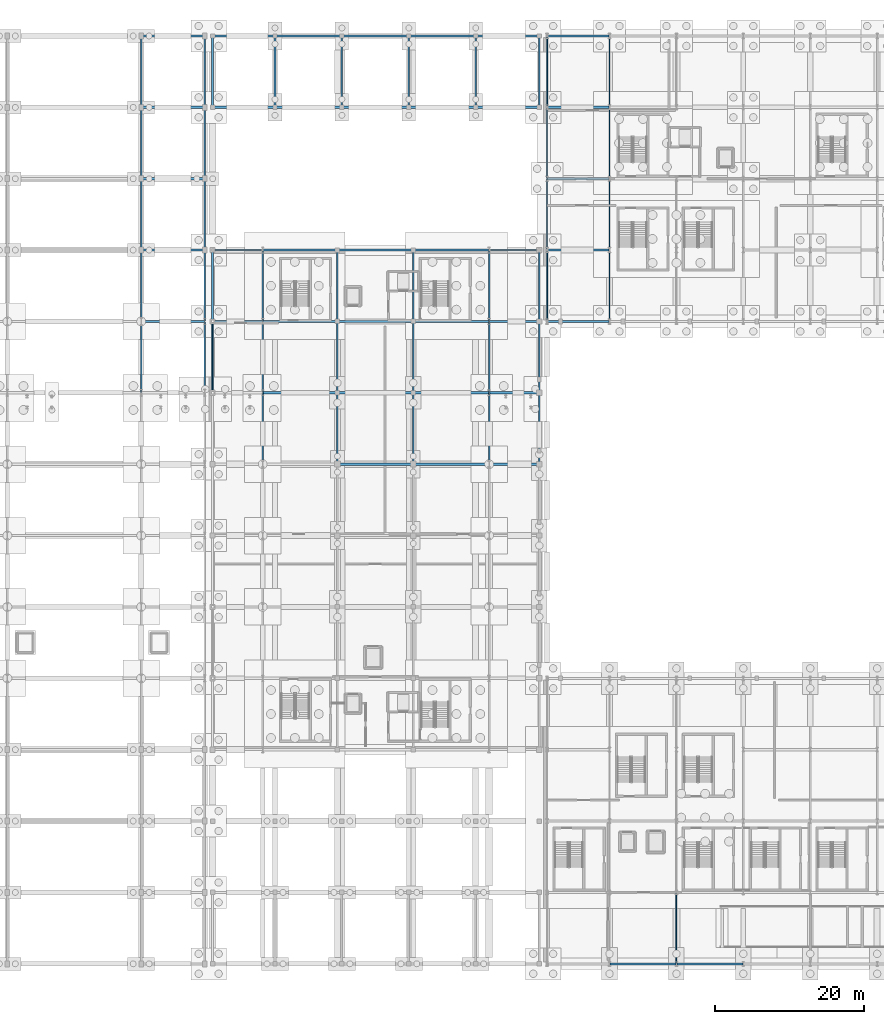
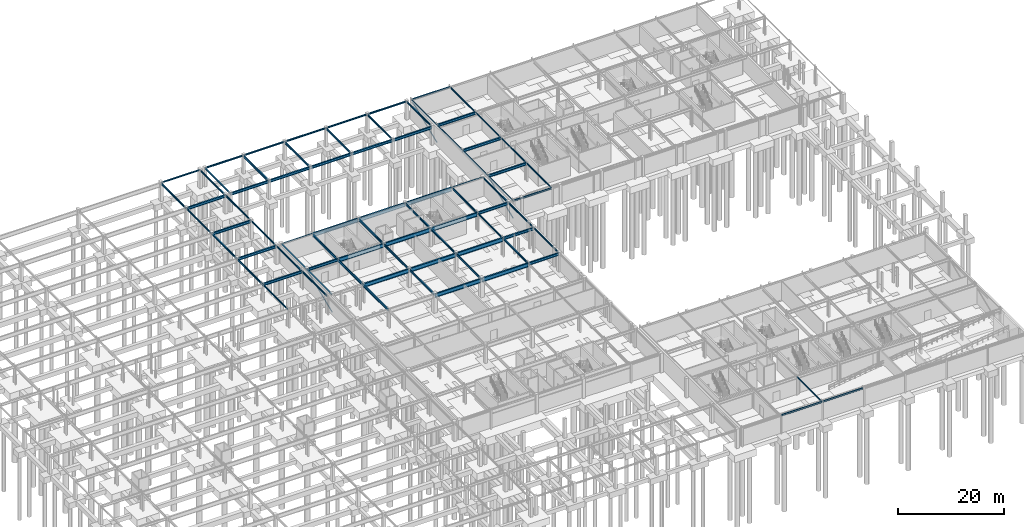
# One storey, part 32 of 59: 81 beams, 3 members.
"""IFC4 building model written with IfcOpenShell, lengths in metres."""

from ifc_helpers import new_model, si_unit, direction, frame, origin, origin_2d, place, context, subcontext, project, spatial, hollow_rectangle, hollow_circle, i_section, extrude, material, material_profile, profile_set, type_object, element, save


model = new_model("IFC4")

# Units and contexts
model_context = context("Model", 3, precision=1e-05, world=origin(), true_north=direction((0.0, 1.0)))
body_context = subcontext(model_context, "Body", "Model", "MODEL_VIEW")
ifc_project = project(units=[si_unit("LENGTHUNIT", "METRE"), si_unit("AREAUNIT", "SQUARE_METRE"), si_unit("VOLUMEUNIT", "CUBIC_METRE"), si_unit("PLANEANGLEUNIT", "RADIAN"), si_unit("MASSUNIT", "GRAM", prefix="KILO")], contexts=[model_context])

# Site, building, storey
site_placement = place(None, origin())
site = spatial("IfcSite", under=ifc_project, at=site_placement, CompositionType="ELEMENT")
building_placement = place(site_placement, origin())
building = spatial("IfcBuilding", under=site, at=building_placement, Name="Myrtia Square Station", CompositionType="ELEMENT")
storey_placement = place(building_placement, frame((0.0, 0.0, -4.5)))
storey = spatial("IfcBuildingStorey", under=building, at=storey_placement, Name="B01", CompositionType="ELEMENT", Elevation=-4.5)

# Beams
ifc_material = material(Name="Steel S355", Category="steel")
ifc_material_profile_1 = material_profile(ifc_material, i_section(OverallWidth=0.300048828125, OverallDepth=0.60009765625, WebThickness=0.015380859375, FlangeThickness=0.030029296875, FilletRadius=0.027099609375, at=origin_2d()), Name="HEB 600")
ifc_profile_set_1 = profile_set([ifc_material_profile_1], Name="Steel S355")
beam_type_1 = type_object("IfcBeamType", Name="BM-HEB600", PredefinedType="BEAM", material=ifc_profile_set_1)
for number, where, z_axis, x_axis, name in (
    (1, (63.050048828125, 86.39990234375, 3.89990234375), (1.0, 0.0, 0.0), (0.0, 1.0, 0.0), "Structural girder BMX-B01-0018"),
    (2, (63.050048828125, 96.0, 3.89990234375), (1.0, 0.0, 0.0), (0.0, 1.0, 0.0), "Structural girder BMX-B01-0020"),
    (3, (63.050048828125, 105.60009765625, 3.89990234375), (1.0, 0.0, 0.0), (0.0, 1.0, 0.0), "Structural girder BMX-B01-0022"),
    (4, (63.050048828125, 115.199951171875, 3.89990234375), (1.0, 0.0, 0.0), (0.0, 1.0, 0.0), "Structural girder BMX-B01-0024"),
):
    element("IfcBeam", number, at=place(storey_placement, frame(where, z_axis=z_axis, x_axis=x_axis)), inside=storey, type_object=beam_type_1, Name=name, PredefinedType="BEAM", context=body_context, shape_type="SweptSolid", body=[
        extrude(i_section(OverallWidth=0.300048828125, OverallDepth=0.60009765625, WebThickness=0.015380859375, FlangeThickness=0.030029296875, FilletRadius=0.027099609375, at=origin_2d()), origin(), (0.0, 0.0, 1.0), 8.449951171875),
    ])
for number, where, z_axis, x_axis, name in (
    (5, (109.85009765625, 67.199951171875, 3.919921875), (1.0, 0.0, 0.0), (0.0, 1.0, 0.0), "Structural girder BMX-B01-0095"),
    (6, (109.85009765625, 76.800048828125, 3.919921875), (1.0, 0.0, 0.0), (0.0, 1.0, 0.0), "Structural girder BMX-B01-0097"),
):
    element("IfcBeam", number, at=place(storey_placement, frame(where, z_axis=z_axis, x_axis=x_axis)), inside=storey, type_object=beam_type_1, Name=name, PredefinedType="BEAM", context=body_context, shape_type="SweptSolid", body=[
        extrude(i_section(OverallWidth=0.300048828125, OverallDepth=0.60009765625, WebThickness=0.015380859375, FlangeThickness=0.030029296875, FilletRadius=0.027099609375, at=origin_2d()), origin(), (0.0, 0.0, 1.0), 6.64990234375),
    ])
beam_1_placement = place(storey_placement, frame((72.64990234375, 86.39990234375, 3.919921875), z_axis=(1.0, 0.0, 0.0), x_axis=(0.0, 1.0, 0.0)))
element("IfcBeam", 7, at=beam_1_placement, inside=storey, type_object=beam_type_1, Name="Structural girder BMX-B01-0098", PredefinedType="BEAM", context=body_context, shape_type="SweptSolid", body=[
    extrude(i_section(OverallWidth=0.300048828125, OverallDepth=0.60009765625, WebThickness=0.015380859375, FlangeThickness=0.030029296875, FilletRadius=0.027099609375, at=origin_2d()), origin(), (0.0, 0.0, 1.0), 6.650146484375),
])
beam_2_placement = place(storey_placement, frame((109.85009765625, 86.39990234375, 3.919921875), z_axis=(1.0, 0.0, 0.0), x_axis=(0.0, 1.0, 0.0)))
element("IfcBeam", 8, at=beam_2_placement, inside=storey, type_object=beam_type_1, Name="Structural girder BMX-B01-0099", PredefinedType="BEAM", context=body_context, shape_type="SweptSolid", body=[
    extrude(i_section(OverallWidth=0.300048828125, OverallDepth=0.60009765625, WebThickness=0.015380859375, FlangeThickness=0.030029296875, FilletRadius=0.027099609375, at=origin_2d()), origin(), (0.0, 0.0, 1.0), 6.64990234375),
])
for number, where, z_axis, x_axis, name in (
    (9, (117.64990234375, 96.0, 3.929931640625), (1.0, 0.0, 0.0), (0.0, 1.0, 0.0), "Structural girder BMX-B01-0190"),
    (10, (117.64990234375, 105.60009765625, 3.929931640625), (1.0, 0.0, 0.0), (0.0, 1.0, 0.0), "Structural girder BMX-B01-0194"),
    (11, (72.64990234375, 115.199951171875, 3.93994140625), (1.0, 0.0, 0.0), (0.0, 1.0, 0.0), "Structural girder BMX-B01-0202"),
):
    element("IfcBeam", number, at=place(storey_placement, frame(where, z_axis=z_axis, x_axis=x_axis)), inside=storey, type_object=beam_type_1, Name=name, PredefinedType="BEAM", context=body_context, shape_type="SweptSolid", body=[
        extrude(i_section(OverallWidth=0.300048828125, OverallDepth=0.60009765625, WebThickness=0.015380859375, FlangeThickness=0.030029296875, FilletRadius=0.027099609375, at=origin_2d()), origin(), (0.0, 0.0, 1.0), 8.300048828125),
    ])
for number, where, z_axis, x_axis, name in (
    (12, (81.050048828125, 115.199951171875, 3.93994140625), (1.0, 0.0, 0.0), (0.0, 1.0, 0.0), "Structural girder BMX-B01-0203"),
    (13, (90.050048828125, 115.199951171875, 3.93994140625), (1.0, 0.0, 0.0), (0.0, 1.0, 0.0), "Structural girder BMX-B01-0204"),
    (14, (99.050048828125, 115.199951171875, 3.93994140625), (1.0, 0.0, 0.0), (0.0, 1.0, 0.0), "Structural girder BMX-B01-0205"),
):
    element("IfcBeam", number, at=place(storey_placement, frame(where, z_axis=z_axis, x_axis=x_axis)), inside=storey, type_object=beam_type_1, Name=name, PredefinedType="BEAM", context=body_context, shape_type="SweptSolid", body=[
        extrude(i_section(OverallWidth=0.300048828125, OverallDepth=0.60009765625, WebThickness=0.015380859375, FlangeThickness=0.030029296875, FilletRadius=0.027099609375, at=origin_2d()), origin(), (0.0, 0.0, 1.0), 8.89990234375),
    ])
beam_3_placement = place(storey_placement, frame((108.050048828125, 115.199951171875, 3.93994140625), z_axis=(1.0, 0.0, 0.0), x_axis=(0.0, 1.0, 0.0)))
element("IfcBeam", 15, at=beam_3_placement, inside=storey, type_object=beam_type_1, Name="Structural girder BMX-B01-0206", PredefinedType="BEAM", context=body_context, shape_type="SweptSolid", body=[
    extrude(i_section(OverallWidth=0.300048828125, OverallDepth=0.60009765625, WebThickness=0.015380859375, FlangeThickness=0.030029296875, FilletRadius=0.027099609375, at=origin_2d()), origin(), (0.0, 0.0, 1.0), 8.449951171875),
])
beam_4_placement = place(storey_placement, frame((117.64990234375, 115.199951171875, 3.929931640625), z_axis=(1.0, 0.0, 0.0), x_axis=(0.0, 1.0, 0.0)))
element("IfcBeam", 16, at=beam_4_placement, inside=storey, type_object=beam_type_1, Name="Structural girder BMX-B01-0207", PredefinedType="BEAM", context=body_context, shape_type="SweptSolid", body=[
    extrude(i_section(OverallWidth=0.300048828125, OverallDepth=0.60009765625, WebThickness=0.015380859375, FlangeThickness=0.030029296875, FilletRadius=0.027099609375, at=origin_2d()), origin(), (0.0, 0.0, 1.0), 8.300048828125),
])
ifc_material_profile_2 = material_profile(ifc_material, i_section(OverallWidth=0.135009765625, OverallDepth=0.27001953125, WebThickness=0.006591796875, FlangeThickness=0.01025390625, FilletRadius=0.014892578125, at=origin_2d()), Name="IPE 270")
ifc_profile_set_2 = profile_set([ifc_material_profile_2], Name="Steel S355")
beam_type_2 = type_object("IfcBeamType", Name="BM-IPE270", PredefinedType="BEAM", material=ifc_profile_set_2)
beam_5_placement = place(storey_placement, frame((135.0, 0.050048828125, 4.094970703125), z_axis=(0.0, 1.0, 0.0), x_axis=(-1.0, 0.0, 0.0)))
element("IfcBeam", 17, at=beam_5_placement, inside=storey, type_object=beam_type_2, Name="Structural girder BMY-B01-0171", PredefinedType="BEAM", context=body_context, shape_type="SweptSolid", body=[
    extrude(i_section(OverallWidth=0.135009765625, OverallDepth=0.27001953125, WebThickness=0.006591796875, FlangeThickness=0.01025390625, FilletRadius=0.014892578125, at=origin_2d()), origin(), (0.0, 0.0, 1.0), 9.5),
])
ifc_material_profile_3 = material_profile(ifc_material, i_section(OverallWidth=0.14990234375, OverallDepth=0.300048828125, WebThickness=0.007080078125, FlangeThickness=0.0107421875, FilletRadius=0.014892578125, at=origin_2d()), Name="IPE 300")
ifc_profile_set_3 = profile_set([ifc_material_profile_3], Name="Steel S355")
beam_type_3 = type_object("IfcBeamType", Name="BM-IPE300", PredefinedType="BEAM", material=ifc_profile_set_3)
for number, where, z_axis, x_axis, name in (
    (18, (126.0, 86.449951171875, 4.080078125), (0.0, 1.0, 0.0), (-1.0, 0.0, 0.0), "Structural girder BMY-B01-0224"),
    (19, (126.0, 96.050048828125, 4.080078125), (0.0, 1.0, 0.0), (-1.0, 0.0, 0.0), "Structural girder BMY-B01-0225"),
    (20, (126.0, 105.64990234375, 4.080078125), (0.0, 1.0, 0.0), (-1.0, 0.0, 0.0), "Structural girder BMY-B01-0226"),
    (21, (126.0, 115.25, 4.080078125), (0.0, 1.0, 0.0), (-1.0, 0.0, 0.0), "Structural girder BMY-B01-0227"),
):
    element("IfcBeam", number, at=place(storey_placement, frame(where, z_axis=z_axis, x_axis=x_axis)), inside=storey, type_object=beam_type_3, Name=name, PredefinedType="BEAM", context=body_context, shape_type="SweptSolid", body=[
        extrude(i_section(OverallWidth=0.14990234375, OverallDepth=0.300048828125, WebThickness=0.007080078125, FlangeThickness=0.0107421875, FilletRadius=0.014892578125, at=origin_2d()), origin(), (0.0, 0.0, 1.0), 9.5),
    ])
ifc_material_profile_4 = material_profile(ifc_material, i_section(OverallWidth=0.159912109375, OverallDepth=0.330078125, WebThickness=0.007568359375, FlangeThickness=0.011474609375, FilletRadius=0.01806640625, at=origin_2d()), Name="IPE 330")
ifc_profile_set_4 = profile_set([ifc_material_profile_4], Name="Steel S355")
beam_type_4 = type_object("IfcBeamType", Name="BM-IPE330", PredefinedType="BEAM", material=ifc_profile_set_4)
for number, where, z_axis, x_axis, name in (
    (22, (117.60009765625, 86.449951171875, 4.06494140625), (0.0, 1.0, 0.0), (-1.0, 0.0, 0.0), "Structural girder BMY-B01-0220"),
    (23, (117.60009765625, 96.050048828125, 4.06494140625), (0.0, 1.0, 0.0), (-1.0, 0.0, 0.0), "Structural girder BMY-B01-0221"),
    (24, (117.60009765625, 105.64990234375, 4.06494140625), (0.0, 1.0, 0.0), (-1.0, 0.0, 0.0), "Structural girder BMY-B01-0222"),
    (25, (117.60009765625, 115.25, 4.06494140625), (0.0, 1.0, 0.0), (-1.0, 0.0, 0.0), "Structural girder BMY-B01-0223"),
):
    element("IfcBeam", number, at=place(storey_placement, frame(where, z_axis=z_axis, x_axis=x_axis)), inside=storey, type_object=beam_type_4, Name=name, PredefinedType="BEAM", context=body_context, shape_type="SweptSolid", body=[
        extrude(i_section(OverallWidth=0.159912109375, OverallDepth=0.330078125, WebThickness=0.007568359375, FlangeThickness=0.011474609375, FilletRadius=0.01806640625, at=origin_2d()), origin(), (0.0, 0.0, 1.0), 9.5),
    ])
ifc_material_profile_5 = material_profile(ifc_material, i_section(OverallWidth=0.169921875, OverallDepth=0.360107421875, WebThickness=0.008056640625, FlangeThickness=0.0126953125, FilletRadius=0.01806640625, at=origin_2d()), Name="IPE 360")
ifc_profile_set_5 = profile_set([ifc_material_profile_5], Name="Steel S355")
beam_type_5 = type_object("IfcBeamType", Name="BM-IPE360", PredefinedType="BEAM", material=ifc_profile_set_5)
for number, where, z_axis, x_axis, name in (
    (26, (71.550048828125, 76.85009765625, 4.02001953125), (0.0, 1.0, 0.0), (-1.0, 0.0, 0.0), "Structural girder BMY-B01-0083"),
    (27, (71.550048828125, 86.449951171875, 4.02001953125), (0.0, 1.0, 0.0), (-1.0, 0.0, 0.0), "Structural girder BMY-B01-0084"),
    (28, (71.550048828125, 96.050048828125, 4.02001953125), (0.0, 1.0, 0.0), (-1.0, 0.0, 0.0), "Structural girder BMY-B01-0085"),
    (29, (71.550048828125, 105.64990234375, 4.02001953125), (0.0, 1.0, 0.0), (-1.0, 0.0, 0.0), "Structural girder BMY-B01-0086"),
    (30, (71.550048828125, 115.25, 4.02001953125), (0.0, 1.0, 0.0), (-1.0, 0.0, 0.0), "Structural girder BMY-B01-0087"),
    (31, (116.550048828125, 67.25, 4.0400390625), (0.0, 1.0, 0.0), (-1.0, 0.0, 0.0), "Structural girder BMY-B01-0132"),
    (32, (116.550048828125, 76.85009765625, 4.0400390625), (0.0, 1.0, 0.0), (-1.0, 0.0, 0.0), "Structural girder BMY-B01-0133"),
    (33, (116.550048828125, 86.449951171875, 4.0400390625), (0.0, 1.0, 0.0), (-1.0, 0.0, 0.0), "Structural girder BMY-B01-0134"),
    (34, (116.550048828125, 115.25, 4.06005859375), (0.0, 1.0, 0.0), (-1.0, 0.0, 0.0), "Structural girder BMY-B01-0219"),
):
    element("IfcBeam", number, at=place(storey_placement, frame(where, z_axis=z_axis, x_axis=x_axis)), inside=storey, type_object=beam_type_5, Name=name, PredefinedType="BEAM", context=body_context, shape_type="SweptSolid", body=[
        extrude(i_section(OverallWidth=0.169921875, OverallDepth=0.360107421875, WebThickness=0.008056640625, FlangeThickness=0.0126953125, FilletRadius=0.01806640625, at=origin_2d()), origin(), (0.0, 0.0, 1.0), 9.5),
    ])
ifc_material_profile_6 = material_profile(ifc_material, i_section(OverallWidth=0.179931640625, OverallDepth=0.39990234375, WebThickness=0.008544921875, FlangeThickness=0.013427734375, FilletRadius=0.02099609375, at=origin_2d()), Name="IPE 400")
ifc_profile_set_6 = profile_set([ifc_material_profile_6], Name="Steel S355")
beam_type_6 = type_object("IfcBeamType", Name="BM-IPE400", PredefinedType="BEAM", material=ifc_profile_set_6)
for number, where, z_axis, x_axis, name in (
    (35, (63.0, 76.85009765625, 4.0), (0.0, 1.0, 0.0), (-1.0, 0.0, 0.0), "Structural girder BMY-B01-0070"),
    (36, (63.0, 86.449951171875, 4.0), (0.0, 1.0, 0.0), (-1.0, 0.0, 0.0), "Structural girder BMY-B01-0071"),
    (37, (63.0, 96.050048828125, 4.0), (0.0, 1.0, 0.0), (-1.0, 0.0, 0.0), "Structural girder BMY-B01-0072"),
    (38, (63.0, 105.64990234375, 4.0), (0.0, 1.0, 0.0), (-1.0, 0.0, 0.0), "Structural girder BMY-B01-0073"),
    (39, (63.0, 115.25, 4.0), (0.0, 1.0, 0.0), (-1.0, 0.0, 0.0), "Structural girder BMY-B01-0074"),
    (40, (109.800048828125, 67.25, 4.02001953125), (0.0, 1.0, 0.0), (-1.0, 0.0, 0.0), "Structural girder BMY-B01-0125"),
    (41, (109.800048828125, 76.85009765625, 4.02001953125), (0.0, 1.0, 0.0), (-1.0, 0.0, 0.0), "Structural girder BMY-B01-0126"),
    (42, (109.800048828125, 86.449951171875, 4.02001953125), (0.0, 1.0, 0.0), (-1.0, 0.0, 0.0), "Structural girder BMY-B01-0127"),
    (43, (108.0, 115.25, 4.0400390625), (0.0, 1.0, 0.0), (-1.0, 0.0, 0.0), "Structural girder BMY-B01-0218"),
):
    element("IfcBeam", number, at=place(storey_placement, frame(where, z_axis=z_axis, x_axis=x_axis)), inside=storey, type_object=beam_type_6, Name=name, PredefinedType="BEAM", context=body_context, shape_type="SweptSolid", body=[
        extrude(i_section(OverallWidth=0.179931640625, OverallDepth=0.39990234375, WebThickness=0.008544921875, FlangeThickness=0.013427734375, FilletRadius=0.02099609375, at=origin_2d()), origin(), (0.0, 0.0, 1.0), 9.5),
    ])
ifc_material_profile_7 = material_profile(ifc_material, i_section(OverallWidth=0.18994140625, OverallDepth=0.449951171875, WebThickness=0.009521484375, FlangeThickness=0.0146484375, FilletRadius=0.02099609375, at=origin_2d()), Name="IPE 450")
ifc_profile_set_7 = profile_set([ifc_material_profile_7], Name="Steel S355")
beam_type_7 = type_object("IfcBeamType", Name="BM-IPE450", PredefinedType="BEAM", material=ifc_profile_set_7)
for number, where, z_axis, x_axis, name in (
    (44, (99.60009765625, 67.25, 3.9951171875), (0.0, 1.0, 0.0), (-1.0, 0.0, 0.0), "Structural girder BMY-B01-0118"),
    (45, (99.60009765625, 76.85009765625, 3.9951171875), (0.0, 1.0, 0.0), (-1.0, 0.0, 0.0), "Structural girder BMY-B01-0119"),
    (46, (99.60009765625, 86.449951171875, 3.9951171875), (0.0, 1.0, 0.0), (-1.0, 0.0, 0.0), "Structural girder BMY-B01-0120"),
    (47, (99.0, 115.25, 4.014892578125), (0.0, 1.0, 0.0), (-1.0, 0.0, 0.0), "Structural girder BMY-B01-0217"),
):
    element("IfcBeam", number, at=place(storey_placement, frame(where, z_axis=z_axis, x_axis=x_axis)), inside=storey, type_object=beam_type_7, Name=name, PredefinedType="BEAM", context=body_context, shape_type="SweptSolid", body=[
        extrude(i_section(OverallWidth=0.18994140625, OverallDepth=0.449951171875, WebThickness=0.009521484375, FlangeThickness=0.0146484375, FilletRadius=0.02099609375, at=origin_2d()), origin(), (0.0, 0.0, 1.0), 9.5),
    ])
ifc_material_profile_8 = material_profile(ifc_material, i_section(OverallWidth=0.199951171875, OverallDepth=0.5, WebThickness=0.01025390625, FlangeThickness=0.01611328125, FilletRadius=0.02099609375, at=origin_2d()), Name="IPE 500")
ifc_profile_set_8 = profile_set([ifc_material_profile_8], Name="Steel S355")
beam_type_8 = type_object("IfcBeamType", Name="BM-IPE500", PredefinedType="BEAM", material=ifc_profile_set_8)
for number, where, z_axis, x_axis, name in (
    (48, (89.39990234375, 67.25, 3.969970703125), (0.0, 1.0, 0.0), (-1.0, 0.0, 0.0), "Structural girder BMY-B01-0111"),
    (49, (89.39990234375, 76.85009765625, 3.969970703125), (0.0, 1.0, 0.0), (-1.0, 0.0, 0.0), "Structural girder BMY-B01-0112"),
    (50, (89.39990234375, 86.449951171875, 3.969970703125), (0.0, 1.0, 0.0), (-1.0, 0.0, 0.0), "Structural girder BMY-B01-0113"),
    (51, (90.0, 115.25, 3.989990234375), (0.0, 1.0, 0.0), (-1.0, 0.0, 0.0), "Structural girder BMY-B01-0216"),
):
    element("IfcBeam", number, at=place(storey_placement, frame(where, z_axis=z_axis, x_axis=x_axis)), inside=storey, type_object=beam_type_8, Name=name, PredefinedType="BEAM", context=body_context, shape_type="SweptSolid", body=[
        extrude(i_section(OverallWidth=0.199951171875, OverallDepth=0.5, WebThickness=0.01025390625, FlangeThickness=0.01611328125, FilletRadius=0.02099609375, at=origin_2d()), origin(), (0.0, 0.0, 1.0), 9.5),
    ])
ifc_material_profile_9 = material_profile(ifc_material, i_section(OverallWidth=0.2099609375, OverallDepth=0.550048828125, WebThickness=0.010986328125, FlangeThickness=0.01708984375, FilletRadius=0.02392578125, at=origin_2d()), Name="IPE 550")
ifc_profile_set_9 = profile_set([ifc_material_profile_9], Name="Steel S355")
beam_type_9 = type_object("IfcBeamType", Name="BM-IPE550", PredefinedType="BEAM", material=ifc_profile_set_9)
for number, where, z_axis, x_axis, name in (
    (52, (79.35009765625, 67.25, 3.945068359375), (0.0, 1.0, 0.0), (-1.0, 0.0, 0.0), "Structural girder BMY-B01-0104"),
    (53, (79.35009765625, 76.85009765625, 3.945068359375), (0.0, 1.0, 0.0), (-1.0, 0.0, 0.0), "Structural girder BMY-B01-0105"),
    (54, (79.35009765625, 86.449951171875, 3.945068359375), (0.0, 1.0, 0.0), (-1.0, 0.0, 0.0), "Structural girder BMY-B01-0106"),
    (55, (81.0, 115.25, 3.965087890625), (0.0, 1.0, 0.0), (-1.0, 0.0, 0.0), "Structural girder BMY-B01-0215"),
):
    element("IfcBeam", number, at=place(storey_placement, frame(where, z_axis=z_axis, x_axis=x_axis)), inside=storey, type_object=beam_type_9, Name=name, PredefinedType="BEAM", context=body_context, shape_type="SweptSolid", body=[
        extrude(i_section(OverallWidth=0.2099609375, OverallDepth=0.550048828125, WebThickness=0.010986328125, FlangeThickness=0.01708984375, FilletRadius=0.02392578125, at=origin_2d()), origin(), (0.0, 0.0, 1.0), 9.5),
    ])

# Members
ifc_material_profile_10 = material_profile(ifc_material, hollow_circle(Radius=0.06982421875, WallThickness=0.008056640625, at=origin_2d()), Name="CHS 139.7x8")
ifc_profile_set_10 = profile_set([ifc_material_profile_10], Name="Steel S355")
member_type_1 = type_object("IfcMemberType", Name="BRC-CHS139", PredefinedType="BRACE", material=ifc_profile_set_10)
member_placement = place(storey_placement, frame((72.60009765625, 76.800048828125, 0.10009765625), z_axis=(0.0, 0.924777429869, 0.380508482436), x_axis=(-1.0, 0.0, 0.0)))
element("IfcMember", 56, at=member_placement, inside=storey, type_object=member_type_1, Name="Seismic concentrically braced frame BF-B01-06", PredefinedType="BRACE", context=body_context, shape_type="SweptSolid", body=[
    extrude(hollow_circle(Radius=0.06982421875, WallThickness=0.008056640625, at=origin_2d()), origin(), (0.0, 0.0, 1.0), 10.380615234375),
])
ifc_material_profile_11 = material_profile(ifc_material, hollow_rectangle(XDim=0.199951171875, YDim=0.199951171875, WallThickness=0.012451171875, InnerFilletRadius=0.012451171875, OuterFilletRadius=0.02490234375, at=origin_2d()), Name="SHS 200x200x12.5")
ifc_profile_set_11 = profile_set([ifc_material_profile_11], Name="Steel S355")
member_type_2 = type_object("IfcMemberType", Name="BRC-SHS200", PredefinedType="BRACE", material=ifc_profile_set_11)
for number, where, z_axis, x_axis, name in (
    (57, (117.60009765625, 86.39990234375, 0.10009765625), (0.0, 0.924780834948, 0.380500206719), (-1.0, 0.0, 0.0), "Seismic concentrically braced frame BF-B01-03"),
    (58, (117.60009765625, 115.199951171875, 0.10009765625), (0.0, 0.924780834948, 0.380500206719), (-1.0, 0.0, 0.0), "Seismic concentrically braced frame BF-B01-04"),
):
    element("IfcMember", number, at=place(storey_placement, frame(where, z_axis=z_axis, x_axis=x_axis)), inside=storey, type_object=member_type_2, Name=name, PredefinedType="BRACE", context=body_context, shape_type="SweptSolid", body=[
        extrude(hollow_rectangle(XDim=0.199951171875, YDim=0.199951171875, WallThickness=0.012451171875, InnerFilletRadius=0.012451171875, OuterFilletRadius=0.02490234375, at=origin_2d()), origin(), (0.0, 0.0, 1.0), 10.380859375),
    ])

# Beams
ifc_material_profile_12 = material_profile(ifc_material, i_section(OverallWidth=0.239990234375, OverallDepth=0.239990234375, WebThickness=0.010009765625, FlangeThickness=0.01708984375, FilletRadius=0.02099609375, at=origin_2d()), Name="HEB 240")
ifc_profile_set_12 = profile_set([ifc_material_profile_12], Name="Steel S355")
beam_type_10 = type_object("IfcBeamType", Name="SPN-HEB240", PredefinedType="SPANDREL", material=ifc_profile_set_12)
beam_6_placement = place(storey_placement, frame((63.050048828125, 124.800048828125, 4.080078125), z_axis=(1.0, 0.0, 0.0), x_axis=(0.0, 1.0, 0.0)))
element("IfcBeam", 59, at=beam_6_placement, inside=storey, type_object=beam_type_10, Name="Structural girder SPN-B01-0002", PredefinedType="SPANDREL", context=body_context, shape_type="SweptSolid", body=[
    extrude(i_section(OverallWidth=0.239990234375, OverallDepth=0.239990234375, WebThickness=0.010009765625, FlangeThickness=0.01708984375, FilletRadius=0.02099609375, at=origin_2d()), origin(), (0.0, 0.0, 1.0), 8.449951171875),
])
for number, where, z_axis, x_axis, name in (
    (60, (72.60009765625, 76.85009765625, 4.10009765625), (0.0, 1.0, 0.0), (-1.0, 0.0, 0.0), "Structural girder SPNY-B01-0023"),
    (61, (72.60009765625, 86.449951171875, 4.10009765625), (0.0, 1.0, 0.0), (-1.0, 0.0, 0.0), "Structural girder SPNY-B01-0024"),
    (62, (72.60009765625, 115.25, 4.1201171875), (0.0, 1.0, 0.0), (-1.0, 0.0, 0.0), "Structural girder SPNY-B01-0066"),
):
    element("IfcBeam", number, at=place(storey_placement, frame(where, z_axis=z_axis, x_axis=x_axis)), inside=storey, type_object=beam_type_10, Name=name, PredefinedType="SPANDREL", context=body_context, shape_type="SweptSolid", body=[
        extrude(i_section(OverallWidth=0.239990234375, OverallDepth=0.239990234375, WebThickness=0.010009765625, FlangeThickness=0.01708984375, FilletRadius=0.02099609375, at=origin_2d()), origin(), (0.0, 0.0, 1.0), 9.5),
    ])
ifc_material_profile_13 = material_profile(ifc_material, i_section(OverallWidth=0.280029296875, OverallDepth=0.280029296875, WebThickness=0.010498046875, FlangeThickness=0.01806640625, FilletRadius=0.02392578125, at=origin_2d()), Name="HEB 280")
ifc_profile_set_13 = profile_set([ifc_material_profile_13], Name="Steel S355")
beam_type_11 = type_object("IfcBeamType", Name="SPN-HEB280", PredefinedType="SPANDREL", material=ifc_profile_set_13)
for number, where, z_axis, x_axis, name in (
    (63, (126.050048828125, 0.0, 4.090087890625), (1.0, 0.0, 0.0), (0.0, 1.0, 0.0), "Structural girder SPN-B01-0031"),
    (64, (135.050048828125, 0.0, 4.090087890625), (1.0, 0.0, 0.0), (0.0, 1.0, 0.0), "Structural girder SPN-B01-0032"),
):
    element("IfcBeam", number, at=place(storey_placement, frame(where, z_axis=z_axis, x_axis=x_axis)), inside=storey, type_object=beam_type_11, Name=name, PredefinedType="SPANDREL", context=body_context, shape_type="SweptSolid", body=[
        extrude(i_section(OverallWidth=0.280029296875, OverallDepth=0.280029296875, WebThickness=0.010498046875, FlangeThickness=0.01806640625, FilletRadius=0.02392578125, at=origin_2d()), origin(), (0.0, 0.0, 1.0), 8.89990234375),
    ])
for number, where, z_axis, x_axis, name in (
    (65, (117.64990234375, 86.39990234375, 4.090087890625), (1.0, 0.0, 0.0), (0.0, 1.0, 0.0), "Structural girder SPN-B01-0045"),
    (66, (72.64990234375, 124.800048828125, 4.10009765625), (1.0, 0.0, 0.0), (0.0, 1.0, 0.0), "Structural girder SPN-B01-0053"),
):
    element("IfcBeam", number, at=place(storey_placement, frame(where, z_axis=z_axis, x_axis=x_axis)), inside=storey, type_object=beam_type_11, Name=name, PredefinedType="SPANDREL", context=body_context, shape_type="SweptSolid", body=[
        extrude(i_section(OverallWidth=0.280029296875, OverallDepth=0.280029296875, WebThickness=0.010498046875, FlangeThickness=0.01806640625, FilletRadius=0.02392578125, at=origin_2d()), origin(), (0.0, 0.0, 1.0), 8.300048828125),
    ])
for number, where, z_axis, x_axis, name in (
    (67, (81.050048828125, 124.800048828125, 4.10009765625), (1.0, 0.0, 0.0), (0.0, 1.0, 0.0), "Structural girder SPN-B01-0054"),
    (68, (90.050048828125, 124.800048828125, 4.10009765625), (1.0, 0.0, 0.0), (0.0, 1.0, 0.0), "Structural girder SPN-B01-0055"),
    (69, (99.050048828125, 124.800048828125, 4.10009765625), (1.0, 0.0, 0.0), (0.0, 1.0, 0.0), "Structural girder SPN-B01-0056"),
):
    element("IfcBeam", number, at=place(storey_placement, frame(where, z_axis=z_axis, x_axis=x_axis)), inside=storey, type_object=beam_type_11, Name=name, PredefinedType="SPANDREL", context=body_context, shape_type="SweptSolid", body=[
        extrude(i_section(OverallWidth=0.280029296875, OverallDepth=0.280029296875, WebThickness=0.010498046875, FlangeThickness=0.01806640625, FilletRadius=0.02392578125, at=origin_2d()), origin(), (0.0, 0.0, 1.0), 8.89990234375),
    ])
beam_7_placement = place(storey_placement, frame((108.050048828125, 124.800048828125, 4.10009765625), z_axis=(1.0, 0.0, 0.0), x_axis=(0.0, 1.0, 0.0)))
element("IfcBeam", 70, at=beam_7_placement, inside=storey, type_object=beam_type_11, Name="Structural girder SPN-B01-0057", PredefinedType="SPANDREL", context=body_context, shape_type="SweptSolid", body=[
    extrude(i_section(OverallWidth=0.280029296875, OverallDepth=0.280029296875, WebThickness=0.010498046875, FlangeThickness=0.01806640625, FilletRadius=0.02392578125, at=origin_2d()), origin(), (0.0, 0.0, 1.0), 8.449951171875),
])
beam_8_placement = place(storey_placement, frame((117.64990234375, 124.800048828125, 4.090087890625), z_axis=(1.0, 0.0, 0.0), x_axis=(0.0, 1.0, 0.0)))
element("IfcBeam", 71, at=beam_8_placement, inside=storey, type_object=beam_type_11, Name="Structural girder SPN-B01-0058", PredefinedType="SPANDREL", context=body_context, shape_type="SweptSolid", body=[
    extrude(i_section(OverallWidth=0.280029296875, OverallDepth=0.280029296875, WebThickness=0.010498046875, FlangeThickness=0.01806640625, FilletRadius=0.02392578125, at=origin_2d()), origin(), (0.0, 0.0, 1.0), 8.300048828125),
])
ifc_material_profile_14 = material_profile(ifc_material, hollow_rectangle(XDim=0.14990234375, YDim=0.25, WallThickness=0.012451171875, InnerFilletRadius=0.012451171875, OuterFilletRadius=0.02490234375, at=origin_2d()), Name="RHS 250x150x12.5")
ifc_profile_set_14 = profile_set([ifc_material_profile_14], Name="Steel S355")
beam_type_12 = type_object("IfcBeamType", Name="SPN-RHS250", PredefinedType="SPANDREL", material=ifc_profile_set_14)
beam_9_placement = place(storey_placement, frame((72.64990234375, 96.0, 4.094970703125), z_axis=(1.0, 0.0, 0.0), x_axis=(0.0, 1.0, 0.0)))
element("IfcBeam", 72, at=beam_9_placement, inside=storey, type_object=beam_type_12, Name="Structural girder SPN-B01-0016", PredefinedType="SPANDREL", context=body_context, shape_type="SweptSolid", body=[
    extrude(hollow_rectangle(XDim=0.14990234375, YDim=0.25, WallThickness=0.012451171875, InnerFilletRadius=0.012451171875, OuterFilletRadius=0.02490234375, at=origin_2d()), origin(), (0.0, 0.0, 1.0), 6.650146484375),
])
beam_10_placement = place(storey_placement, frame((109.85009765625, 96.0, 4.094970703125), z_axis=(1.0, 0.0, 0.0), x_axis=(0.0, 1.0, 0.0)))
element("IfcBeam", 73, at=beam_10_placement, inside=storey, type_object=beam_type_12, Name="Structural girder SPN-B01-0017", PredefinedType="SPANDREL", context=body_context, shape_type="SweptSolid", body=[
    extrude(hollow_rectangle(XDim=0.14990234375, YDim=0.25, WallThickness=0.012451171875, InnerFilletRadius=0.012451171875, OuterFilletRadius=0.02490234375, at=origin_2d()), origin(), (0.0, 0.0, 1.0), 6.64990234375),
])
ifc_material_profile_15 = material_profile(ifc_material, i_section(OverallWidth=0.300048828125, OverallDepth=0.89990234375, WebThickness=0.0185546875, FlangeThickness=0.034912109375, FilletRadius=0.030029296875, at=origin_2d()), Name="HEB 900")
ifc_profile_set_15 = profile_set([ifc_material_profile_15], Name="Steel S355")
beam_type_13 = type_object("IfcBeamType", Name="TG-HEB900", PredefinedType="USERDEFINED", material=ifc_profile_set_15)
for number, where, z_axis, x_axis, name in (
    (74, (89.449951171875, 67.199951171875, 3.77001953125), (1.0, 0.0, 0.0), (0.0, 1.0, 0.0), "Structural girder TG-B01-0054"),
    (75, (99.64990234375, 67.199951171875, 3.77001953125), (1.0, 0.0, 0.0), (0.0, 1.0, 0.0), "Structural girder TG-B01-0055"),
):
    element("IfcBeam", number, at=place(storey_placement, frame(where, z_axis=z_axis, x_axis=x_axis)), inside=storey, type_object=beam_type_13, Name=name, ObjectType="TRANSFER GIRDER", PredefinedType="USERDEFINED", context=body_context, shape_type="SweptSolid", body=[
        extrude(i_section(OverallWidth=0.300048828125, OverallDepth=0.89990234375, WebThickness=0.0185546875, FlangeThickness=0.034912109375, FilletRadius=0.030029296875, at=origin_2d()), origin(), (0.0, 0.0, 1.0), 10.10009765625),
    ])
beam_11_placement = place(storey_placement, frame((79.39990234375, 76.800048828125, 3.77001953125), z_axis=(1.0, 0.0, 0.0), x_axis=(0.0, 1.0, 0.0)))
element("IfcBeam", 76, at=beam_11_placement, inside=storey, type_object=beam_type_13, Name="Structural girder TG-B01-0056", ObjectType="TRANSFER GIRDER", PredefinedType="USERDEFINED", context=body_context, shape_type="SweptSolid", body=[
    extrude(i_section(OverallWidth=0.300048828125, OverallDepth=0.89990234375, WebThickness=0.0185546875, FlangeThickness=0.034912109375, FilletRadius=0.030029296875, at=origin_2d()), origin(), (0.0, 0.0, 1.0), 9.9501953125),
])
for number, where, z_axis, x_axis, name in (
    (77, (89.449951171875, 76.800048828125, 3.77001953125), (1.0, 0.0, 0.0), (0.0, 1.0, 0.0), "Structural girder TG-B01-0057"),
    (78, (99.64990234375, 76.800048828125, 3.77001953125), (1.0, 0.0, 0.0), (0.0, 1.0, 0.0), "Structural girder TG-B01-0058"),
):
    element("IfcBeam", number, at=place(storey_placement, frame(where, z_axis=z_axis, x_axis=x_axis)), inside=storey, type_object=beam_type_13, Name=name, ObjectType="TRANSFER GIRDER", PredefinedType="USERDEFINED", context=body_context, shape_type="SweptSolid", body=[
        extrude(i_section(OverallWidth=0.300048828125, OverallDepth=0.89990234375, WebThickness=0.0185546875, FlangeThickness=0.034912109375, FilletRadius=0.030029296875, at=origin_2d()), origin(), (0.0, 0.0, 1.0), 10.10009765625),
    ])
beam_12_placement = place(storey_placement, frame((79.39990234375, 86.39990234375, 3.77001953125), z_axis=(1.0, 0.0, 0.0), x_axis=(0.0, 1.0, 0.0)))
element("IfcBeam", 79, at=beam_12_placement, inside=storey, type_object=beam_type_13, Name="Structural girder TG-B01-0059", ObjectType="TRANSFER GIRDER", PredefinedType="USERDEFINED", context=body_context, shape_type="SweptSolid", body=[
    extrude(i_section(OverallWidth=0.300048828125, OverallDepth=0.89990234375, WebThickness=0.0185546875, FlangeThickness=0.034912109375, FilletRadius=0.030029296875, at=origin_2d()), origin(), (0.0, 0.0, 1.0), 9.9501953125),
])
for number, where, z_axis, x_axis, name in (
    (80, (89.449951171875, 86.39990234375, 3.77001953125), (1.0, 0.0, 0.0), (0.0, 1.0, 0.0), "Structural girder TG-B01-0060"),
    (81, (99.64990234375, 86.39990234375, 3.77001953125), (1.0, 0.0, 0.0), (0.0, 1.0, 0.0), "Structural girder TG-B01-0061"),
):
    element("IfcBeam", number, at=place(storey_placement, frame(where, z_axis=z_axis, x_axis=x_axis)), inside=storey, type_object=beam_type_13, Name=name, ObjectType="TRANSFER GIRDER", PredefinedType="USERDEFINED", context=body_context, shape_type="SweptSolid", body=[
        extrude(i_section(OverallWidth=0.300048828125, OverallDepth=0.89990234375, WebThickness=0.0185546875, FlangeThickness=0.034912109375, FilletRadius=0.030029296875, at=origin_2d()), origin(), (0.0, 0.0, 1.0), 10.10009765625),
    ])
beam_13_placement = place(storey_placement, frame((79.39990234375, 96.0, 3.77001953125), z_axis=(1.0, 0.0, 0.0), x_axis=(0.0, 1.0, 0.0)))
element("IfcBeam", 82, at=beam_13_placement, inside=storey, type_object=beam_type_13, Name="Structural girder TG-B01-0062", ObjectType="TRANSFER GIRDER", PredefinedType="USERDEFINED", context=body_context, shape_type="SweptSolid", body=[
    extrude(i_section(OverallWidth=0.300048828125, OverallDepth=0.89990234375, WebThickness=0.0185546875, FlangeThickness=0.034912109375, FilletRadius=0.030029296875, at=origin_2d()), origin(), (0.0, 0.0, 1.0), 9.9501953125),
])
for number, where, z_axis, x_axis, name in (
    (83, (89.449951171875, 96.0, 3.77001953125), (1.0, 0.0, 0.0), (0.0, 1.0, 0.0), "Structural girder TG-B01-0063"),
    (84, (99.64990234375, 96.0, 3.77001953125), (1.0, 0.0, 0.0), (0.0, 1.0, 0.0), "Structural girder TG-B01-0064"),
):
    element("IfcBeam", number, at=place(storey_placement, frame(where, z_axis=z_axis, x_axis=x_axis)), inside=storey, type_object=beam_type_13, Name=name, ObjectType="TRANSFER GIRDER", PredefinedType="USERDEFINED", context=body_context, shape_type="SweptSolid", body=[
        extrude(i_section(OverallWidth=0.300048828125, OverallDepth=0.89990234375, WebThickness=0.0185546875, FlangeThickness=0.034912109375, FilletRadius=0.030029296875, at=origin_2d()), origin(), (0.0, 0.0, 1.0), 10.10009765625),
    ])

save(model, "model.ifc")
